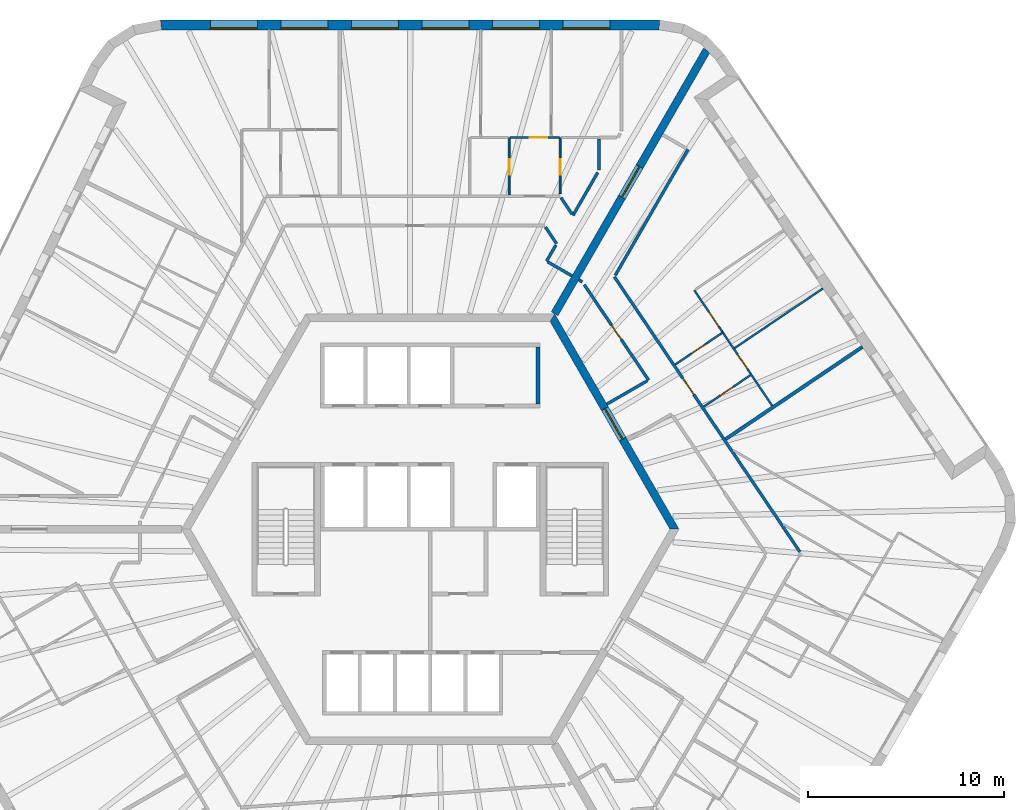
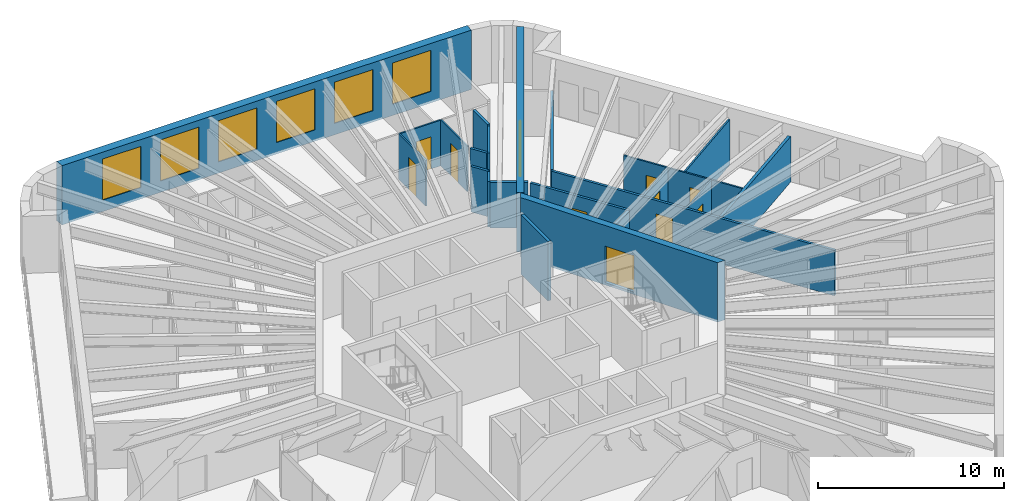
# One storey, part 10 of 12: 24 walls, 11 doors, 6 windows, 17 openings.
"""IFC4 building model written with IfcOpenShell, lengths in metres."""

import ifcopenshell
import ifcopenshell.guid

model = None  # the IFC model being written
_history = None  # IfcOwnerHistory: only IFC2X3 demands one
_inside = {}  # id of a spatial element -> (the spatial element, [elements in it])
_under = {}  # id of a project, library or spatial element -> (it, [spatial elements below it])
_declared = {}  # id of a project -> (the project, [libraries it declares])
_typed = {}  # id of a type object -> (the type object, [elements of that type])
_made_of = {}  # id of a material, layer set ... -> (it, [elements and type objects made of it])


def new_model(schema):
    """Start an empty IFC model of exactly this schema.

    Asked for "IFC4X3", IfcOpenShell would pick the latest addendum, in which some entities
    have other attributes; the version numbers below select the first issue.
    IFC2X3 requires an IfcOwnerHistory on every rooted entity: one is made here for all.
    """
    global model, _history
    if schema == "IFC4X3":
        model = ifcopenshell.file(schema_version=(4, 3, 0, 0))
    else:
        model = ifcopenshell.file(schema=schema)
    _inside.clear()
    _under.clear()
    _declared.clear()
    _typed.clear()
    _made_of.clear()
    _history = None
    if model.schema == "IFC2X3":
        org = make("IfcOrganization", Name="unknown")
        user = make(
            "IfcPersonAndOrganization",
            ThePerson=make("IfcPerson", FamilyName="unknown"),
            TheOrganization=org,
        )
        app = make(
            "IfcApplication",
            ApplicationDeveloper=org,
            Version="unknown",
            ApplicationFullName="unknown",
            ApplicationIdentifier="unknown",
        )
        _history = make(
            "IfcOwnerHistory",
            OwningUser=user,
            OwningApplication=app,
            ChangeAction="ADDED",
            CreationDate=0,
        )
    return model


def make(cls, **values):
    """One entity of the class cls with the attributes given. An attribute that is None is left unset."""
    return model.create_entity(
        cls, **{name: value for name, value in values.items() if value is not None}
    )


def rooted(cls, **values):
    """An entity with a GlobalId (a new one), such as an element, a storey or a relation."""
    return make(cls, GlobalId=ifcopenshell.guid.new(), OwnerHistory=_history, **values)


def si_unit(unit_type, name, prefix=None):
    """IfcSIUnit, for example si_unit("LENGTHUNIT", "METRE", prefix="MILLI")."""
    return make("IfcSIUnit", UnitType=unit_type, Prefix=prefix, Name=name)


def assignment(units):
    """IfcUnitAssignment: the units of a project."""
    return None if units is None else make("IfcUnitAssignment", Units=units)


def point(xyz):
    """IfcCartesianPoint."""
    return None if xyz is None else make("IfcCartesianPoint", Coordinates=xyz)


def direction(xyz):
    """IfcDirection."""
    return None if xyz is None else make("IfcDirection", DirectionRatios=xyz)


def frame(location, z_axis=None, x_axis=None):
    """IfcAxis2Placement3D, a coordinate frame: its origin and axes. An axis left out is left unset."""
    return make(
        "IfcAxis2Placement3D",
        Location=point(location),
        Axis=direction(z_axis),
        RefDirection=direction(x_axis),
    )


def frame_2d(location, x_axis=None):
    """IfcAxis2Placement2D, a coordinate frame in the plane: its origin and x axis."""
    return make(
        "IfcAxis2Placement2D", Location=point(location), RefDirection=direction(x_axis)
    )


def origin():
    """The frame at (0, 0, 0) with its axes left unset."""
    return frame((0.0, 0.0, 0.0))


def place(relative_to, where):
    """IfcLocalPlacement: puts the frame where relative to a parent placement (None: the world)."""
    return make(
        "IfcLocalPlacement", PlacementRelTo=relative_to, RelativePlacement=where
    )


def context(
    kind, dimensions, precision=None, world=None, true_north=None, identifier=None
):
    """IfcGeometricRepresentationContext, for example the 3D "Model" context."""
    return make(
        "IfcGeometricRepresentationContext",
        ContextIdentifier=identifier,
        ContextType=kind,
        CoordinateSpaceDimension=dimensions,
        Precision=precision,
        WorldCoordinateSystem=world,
        TrueNorth=true_north,
    )


def subcontext(parent, identifier, kind, view, scale=None):
    """IfcGeometricRepresentationSubContext, for example "Body" below "Model"."""
    return make(
        "IfcGeometricRepresentationSubContext",
        ContextIdentifier=identifier,
        ContextType=kind,
        ParentContext=parent,
        TargetScale=scale,
        TargetView=view,
    )


def project(units=None, contexts=None):
    """IfcProject with its units and contexts."""
    return rooted(
        "IfcProject",
        Name="project",
        RepresentationContexts=contexts,
        UnitsInContext=assignment(units),
    )


def spatial(cls, under=None, at=None, **own):
    """A site, building, storey or space (cls), placed at a placement, below another one or the project."""
    s = rooted(cls, ObjectPlacement=at, **own)
    if under is not None:
        _under.setdefault(under.id(), (under, []))[1].append(s)
    return s


def polyline(points):
    """IfcPolyline through the points."""
    return make("IfcPolyline", Points=[point(p) for p in points])


def profile(cls, at=None, kind="AREA", **sizes):
    """A parametric profile (cls). Its sizes go by their IFC names, for example OverallWidth=200.0."""
    return make(cls, ProfileType=kind, Position=at, **sizes)


def rectangle(**sizes):
    """IfcRectangleProfileDef."""
    return profile("IfcRectangleProfileDef", **sizes)


def outline(outer, holes=None, kind="AREA"):
    """IfcArbitraryClosedProfileDef: a profile drawn as a closed curve; with holes, ...WithVoids."""
    if holes is None:
        return make("IfcArbitraryClosedProfileDef", ProfileType=kind, OuterCurve=outer)
    return make(
        "IfcArbitraryProfileDefWithVoids",
        ProfileType=kind,
        OuterCurve=outer,
        InnerCurves=holes,
    )


def extrude(swept, where, along, depth):
    """IfcExtrudedAreaSolid: the profile swept, set in the frame where, extruded along a direction by depth."""
    return make(
        "IfcExtrudedAreaSolid",
        SweptArea=swept,
        Position=where,
        ExtrudedDirection=direction(along),
        Depth=depth,
    )


def shape(context_of_items, identifier, shape_type, items):
    """IfcShapeRepresentation: the items that make up one representation, for example the "Body"."""
    return make(
        "IfcShapeRepresentation",
        ContextOfItems=context_of_items,
        RepresentationIdentifier=identifier,
        RepresentationType=shape_type,
        Items=items,
    )


def material(Name=None, Category=None):
    """IfcMaterial."""
    return make("IfcMaterial", Name=Name, Category=Category)


def layer(
    of_material, thickness, ventilated=None, Name=None, Category=None, Priority=None
):
    """IfcMaterialLayer: one layer of a wall or slab, of a material (None: an air gap)."""
    return make(
        "IfcMaterialLayer",
        Material=of_material,
        LayerThickness=thickness,
        IsVentilated=ventilated,
        Name=Name,
        Category=Category,
        Priority=Priority,
    )


def layer_set(layers, Name=None):
    """IfcMaterialLayerSet."""
    return make("IfcMaterialLayerSet", MaterialLayers=layers, LayerSetName=Name)


def made_of(thing, what):
    """Note that an element or type object is made of a material, layer set ...; save() writes the relation."""
    if what is not None:
        _made_of.setdefault(what.id(), (what, []))[1].append(thing)
    return thing


def type_object(cls, material=None, **own):
    """A type object (cls), such as IfcWallType, which elements share."""
    return made_of(rooted(cls, **own), material)


def element(
    cls,
    number,
    at=None,
    inside=None,
    cuts=None,
    type_object=None,
    material=None,
    context=None,
    identifier="Body",
    shape_type=None,
    held_by="IfcProductDefinitionShape",
    body=None,
    shapes=None,
    **own,
):
    """One element of the class cls, such as IfcWall. Its Tag is "e" and its number.

    at: its placement. inside: the storey or other place that contains it. cuts: it is an
    opening in that element (IfcRelVoidsElement). A single representation is given by context,
    identifier, shape_type and body (its items); several are given by shapes. held_by: the class
    of the entity that holds the representations. save() writes the other relations.
    """
    e = rooted(cls, Tag="e%d" % number, ObjectPlacement=at, **own)
    if body is not None:
        shapes = [shape(context, identifier, shape_type, body)]
    if shapes is not None:
        e.Representation = make(held_by, Representations=shapes)
    if inside is not None:
        _inside.setdefault(inside.id(), (inside, []))[1].append(e)
    if cuts is not None:
        rooted(
            "IfcRelVoidsElement", RelatingBuildingElement=cuts, RelatedOpeningElement=e
        )
    if type_object is not None:
        _typed.setdefault(type_object.id(), (type_object, []))[1].append(e)
    return made_of(e, material)


def fill(opening, filler):
    """IfcRelFillsElement: the door or window that sits in an opening."""
    return rooted(
        "IfcRelFillsElement",
        RelatingOpeningElement=opening,
        RelatedBuildingElement=filler,
    )


def aggregate(whole, parts):
    """IfcRelAggregates: a whole, such as a stair, and the parts it consists of."""
    return rooted("IfcRelAggregates", RelatingObject=whole, RelatedObjects=parts)


def save(model, path):
    """Write the relations noted so far, then the file.

    IfcRelAggregates (storeys below a building ...), IfcRelContainedInSpatialStructure (elements
    in a storey), IfcRelDefinesByType, IfcRelAssociatesMaterial and IfcRelDeclares: one each for
    every whole, place, type object, material and project.
    """
    for whole, parts in _under.values():
        aggregate(whole, parts)
    for where, things in _inside.values():
        rooted(
            "IfcRelContainedInSpatialStructure",
            RelatedElements=things,
            RelatingStructure=where,
        )
    for kind, things in _typed.values():
        rooted("IfcRelDefinesByType", RelatedObjects=things, RelatingType=kind)
    for what, things in _made_of.values():
        rooted("IfcRelAssociatesMaterial", RelatedObjects=things, RelatingMaterial=what)
    for by, libraries in _declared.values():
        rooted("IfcRelDeclares", RelatingContext=by, RelatedDefinitions=libraries)
    model.write(path)


model = new_model("IFC4")

# Units and contexts
model_context = context("Model", 3, precision=1e-05, world=origin(), true_north=direction((0.0, 1.0)))
body_context = subcontext(model_context, "Body", "Model", "MODEL_VIEW")
ifc_project = project(units=[si_unit("LENGTHUNIT", "METRE"), si_unit("AREAUNIT", "SQUARE_METRE"), si_unit("VOLUMEUNIT", "CUBIC_METRE"), si_unit("PLANEANGLEUNIT", "RADIAN"), si_unit("MASSUNIT", "GRAM", prefix="KILO")], contexts=[model_context])

# Site, building, storey
site_placement = place(None, origin())
site = spatial("IfcSite", under=ifc_project, at=site_placement, CompositionType="ELEMENT")
building_placement = place(site_placement, origin())
building = spatial("IfcBuilding", under=site, at=building_placement, Name="Tarnside Tower", CompositionType="ELEMENT")
storey_placement = place(building_placement, frame((0.0, 0.0, 275.699951171875)))
storey = spatial("IfcBuildingStorey", under=building, at=storey_placement, Name="L66", CompositionType="ELEMENT", Elevation=275.699951171875)

# Wall, opening, door
ifc_material_1 = material(Name="Gypsum board partition on steel studs", Category="steel")
ifc_layer_1 = layer(ifc_material_1, 0.10009765625)
ifc_layer_set_1 = layer_set([ifc_layer_1], Name="Bathroom wall 100")
wall_type_1 = type_object("IfcWallType", Name="Bathroom wall 100", PredefinedType="PARTITIONING", material=ifc_layer_set_1)
wall_1_placement = place(storey_placement, frame((4.026611328125, 20.0, 0.0), z_axis=(0.0, 0.0, 1.0), x_axis=(0.0, -1.0, 0.0)))
wall_1 = element("IfcWall", 1, at=wall_1_placement, inside=storey, type_object=wall_type_1, Name="Bathroom wall 21091", PredefinedType="PARTITIONING", context=body_context, shape_type="SweptSolid", body=[
    extrude(rectangle(XDim=2.925048828125, YDim=0.10009765625, at=frame_2d((1.46240234375, 0.0))), origin(), (0.0, 0.0, 1.0), 2.98779296875),
])
opening_1_placement = place(wall_1_placement, frame((1.10009765625, 0.0, 0.0)))
opening_1 = element("IfcOpeningElement", 2, at=opening_1_placement, cuts=wall_1, Name="Opening D-B1", PredefinedType="OPENING", context=body_context, shape_type="SweptSolid", body=[
    extrude(rectangle(XDim=0.800048828125, YDim=2.10009765625, at=frame_2d((0.39990234375, 1.050048828125))), frame((0.0, 0.06005859375, 0.0), z_axis=(0.0, -1.0, 0.0), x_axis=(1.0, 0.0, 0.0)), (0.0, 0.0, 1.0), 0.1201171875),
])
ifc_material_2 = material(Name="Timber door leaf", Category="wood")
door_type_1 = type_object("IfcDoorType", Name="Bathroom door 800", OperationType="NOTDEFINED", PredefinedType="DOOR", material=ifc_material_2)
door_1_placement = place(opening_1_placement, origin())
door_1 = element("IfcDoor", 3, at=door_1_placement, inside=storey, type_object=door_type_1, Name="Bathroom door 21002", OperationType="SINGLE_SWING_LEFT", OverallHeight=2.10009765625, OverallWidth=0.800048828125, PredefinedType="DOOR", context=body_context, shape_type="SweptSolid", body=[
    extrude(rectangle(XDim=0.800048828125, YDim=2.10009765625, at=frame_2d((0.39990234375, 1.050048828125))), frame((0.0, 0.02490234375, 0.0), z_axis=(0.0, -1.0, 0.0), x_axis=(1.0, 0.0, 0.0)), (0.0, 0.0, 1.0), 0.050048828125),
])
fill(opening_1, door_1)

wall_2_placement = place(storey_placement, frame((6.626708984375, 17.134033203125, 0.0), z_axis=(0.0, 0.0, 1.0), x_axis=(0.0, 1.0, 0.0)))
wall_2 = element("IfcWall", 4, at=wall_2_placement, inside=storey, type_object=wall_type_1, Name="Bathroom wall 21094", PredefinedType="PARTITIONING", context=body_context, shape_type="SweptSolid", body=[
    extrude(rectangle(XDim=2.865966796875, YDim=0.10009765625, at=frame_2d((1.43310546875, 0.0))), origin(), (0.0, 0.0, 1.0), 2.98779296875),
])
opening_2_placement = place(wall_2_placement, frame((0.9658203125, 0.0, 0.0)))
opening_2 = element("IfcOpeningElement", 5, at=opening_2_placement, cuts=wall_2, Name="Opening D-B1", PredefinedType="OPENING", context=body_context, shape_type="SweptSolid", body=[
    extrude(rectangle(XDim=0.800048828125, YDim=2.10009765625, at=frame_2d((0.39990234375, 1.050048828125))), frame((0.0, 0.06005859375, 0.0), z_axis=(0.0, -1.0, 0.0), x_axis=(1.0, 0.0, 0.0)), (0.0, 0.0, 1.0), 0.1201171875),
])
door_2_placement = place(opening_2_placement, origin())
door_2 = element("IfcDoor", 6, at=door_2_placement, inside=storey, type_object=door_type_1, Name="Bathroom door 21011", OperationType="SINGLE_SWING_RIGHT", OverallHeight=2.10009765625, OverallWidth=0.800048828125, PredefinedType="DOOR", context=body_context, shape_type="SweptSolid", body=[
    extrude(rectangle(XDim=0.800048828125, YDim=2.10009765625, at=frame_2d((0.39990234375, 1.050048828125))), frame((0.0, 0.02490234375, 0.0), z_axis=(0.0, -1.0, 0.0), x_axis=(1.0, 0.0, 0.0)), (0.0, 0.0, 1.0), 0.050048828125),
])
fill(opening_2, door_2)

wall_3_placement = place(storey_placement, frame((13.965576171875, 6.25390625, 0.0), z_axis=(0.0, 0.0, 1.0), x_axis=(0.829046031219, 0.559180362781, 0.0)))
wall_3 = element("IfcWall", 7, at=wall_3_placement, inside=storey, type_object=wall_type_1, Name="Bathroom wall 21174", PredefinedType="PARTITIONING", context=body_context, shape_type="SweptSolid", body=[
    extrude(rectangle(XDim=2.9248046875, YDim=0.10009765625, at=frame_2d((1.46240234375, 0.0))), origin(), (0.0, 0.0, 1.0), 2.98779296875),
])
opening_3_placement = place(wall_3_placement, frame((1.02490234375, 0.0, 0.0)))
opening_3 = element("IfcOpeningElement", 8, at=opening_3_placement, cuts=wall_3, Name="Opening D-B1", PredefinedType="OPENING", context=body_context, shape_type="SweptSolid", body=[
    extrude(rectangle(XDim=0.800048828125, YDim=2.10009765625, at=frame_2d((0.39990234375, 1.050048828125))), frame((0.0, 0.06005859375, 0.0), z_axis=(0.0, -1.0, 0.0), x_axis=(1.0, 0.0, 0.0)), (0.0, 0.0, 1.0), 0.1201171875),
])
door_3_placement = place(opening_3_placement, origin())
door_3 = element("IfcDoor", 9, at=door_3_placement, inside=storey, type_object=door_type_1, Name="Bathroom door 21064", OperationType="SINGLE_SWING_RIGHT", OverallHeight=2.10009765625, OverallWidth=0.800048828125, PredefinedType="DOOR", context=body_context, shape_type="SweptSolid", body=[
    extrude(rectangle(XDim=0.800048828125, YDim=2.10009765625, at=frame_2d((0.39990234375, 1.050048828125))), frame((0.0, 0.02490234375, 0.0), z_axis=(0.0, -1.0, 0.0), x_axis=(1.0, 0.0, 0.0)), (0.0, 0.0, 1.0), 0.050048828125),
])
fill(opening_3, door_3)

# Wall
wall_4_placement = place(storey_placement, frame((17.45849609375, 6.305908203125, 0.0), z_axis=(0.0, 0.0, 1.0), x_axis=(-0.559200351269, 0.829032548903, 0.0)))
element("IfcWall", 10, at=wall_4_placement, inside=storey, type_object=wall_type_1, Name="Bathroom wall 21177", PredefinedType="PARTITIONING", context=body_context, shape_type="SweptSolid", body=[
    extrude(rectangle(XDim=1.862060546875, YDim=0.10009765625, at=frame_2d((0.93115234375, 0.0))), origin(), (0.0, 0.0, 1.0), 2.98779296875),
])

# Wall, opening, door
ifc_material_3 = material(Name="Concrete C60/75", Category="concrete")
ifc_layer_2 = layer(ifc_material_3, 0.39990234375)
ifc_layer_set_2 = layer_set([ifc_layer_2], Name="Core wall Z3 400 C60/75")
wall_type_2 = type_object("IfcWallType", Name="Core wall Z3 400 C60/75", PredefinedType="SHEAR", material=ifc_layer_set_2)
wall_5_placement = place(storey_placement, frame((12.470703125, 0.0, -0.14990234375), z_axis=(0.0, 0.0, 1.0), x_axis=(-0.499996419489, 0.866027470984, 0.0)))
wall_5 = element("IfcWall", 11, at=wall_5_placement, inside=storey, type_object=wall_type_2, Name="L66 core wall face 6", PredefinedType="SHEAR", context=body_context, shape_type="SweptSolid", body=[
    extrude(outline(polyline([(-0.115478515625, -0.199951171875), (12.586181640625, -0.199951171875), (12.355224609375, 0.199951171875), (0.115478515625, 0.199951171875), (-0.115478515625, -0.199951171875)])), origin(), (0.0, 0.0, 1.0), 3.89990234375),
])
opening_4_placement = place(wall_5_placement, frame((5.306396484375, 0.0, 0.14990234375)))
opening_4 = element("IfcOpeningElement", 12, at=opening_4_placement, cuts=wall_5, Name="Opening CD-LOB", PredefinedType="OPENING", context=body_context, shape_type="SweptSolid", body=[
    extrude(rectangle(XDim=1.800048828125, YDim=2.39990234375, at=frame_2d((0.89990234375, 1.199951171875))), frame((0.0, 0.2099609375, 0.0), z_axis=(0.0, -1.0, 0.0), x_axis=(1.0, 0.0, 0.0)), (0.0, 0.0, 1.0), 0.419921875),
])
ifc_material_4 = material(Name="Steel fire door", Category="steel")
door_type_2 = type_object("IfcDoorType", Name="Lobby double door FD30S 1800x2400", OperationType="NOTDEFINED", PredefinedType="DOOR", material=ifc_material_4)
door_4_placement = place(opening_4_placement, origin())
door_4 = element("IfcDoor", 13, at=door_4_placement, inside=storey, type_object=door_type_2, Name="L66 core door P2", OperationType="DOUBLE_DOOR_SINGLE_SWING", OverallHeight=2.39990234375, OverallWidth=1.800048828125, PredefinedType="DOOR", context=body_context, shape_type="SweptSolid", body=[
    extrude(rectangle(XDim=1.800048828125, YDim=2.39990234375, at=frame_2d((0.89990234375, 1.199951171875))), frame((0.0, 0.02490234375, 0.0), z_axis=(0.0, -1.0, 0.0), x_axis=(1.0, 0.0, 0.0)), (0.0, 0.0, 1.0), 0.050048828125),
])
fill(opening_4, door_4)

wall_6_placement = place(storey_placement, frame((6.350830078125, 11.0, -0.14990234375), z_axis=(0.0, 0.0, 1.0), x_axis=(0.499998894578, 0.866026041999, 0.0)))
wall_6 = element("IfcWall", 14, at=wall_6_placement, inside=storey, type_object=wall_type_2, Name="L66 spine wall 1", PredefinedType="SHEAR", context=body_context, shape_type="SweptSolid", body=[
    extrude(rectangle(XDim=15.54443359375, YDim=0.39990234375, at=frame_2d((7.772216796875, 0.0))), origin(), (0.0, 0.0, 1.0), 3.89990234375),
])
opening_5_placement = place(wall_6_placement, frame((6.872314453125, 0.0, 0.14990234375)))
opening_5 = element("IfcOpeningElement", 15, at=opening_5_placement, cuts=wall_6, Name="Opening CD-SPN", PredefinedType="OPENING", context=body_context, shape_type="SweptSolid", body=[
    extrude(rectangle(XDim=1.800048828125, YDim=2.39990234375, at=frame_2d((0.89990234375, 1.199951171875))), frame((0.0, 0.2099609375, 0.0), z_axis=(0.0, -1.0, 0.0), x_axis=(1.0, 0.0, 0.0)), (0.0, 0.0, 1.0), 0.419921875),
])
door_type_3 = type_object("IfcDoorType", Name="Spine passage double door FD60 1800x2400", OperationType="NOTDEFINED", PredefinedType="DOOR", material=ifc_material_4)
door_5_placement = place(opening_5_placement, origin())
door_5 = element("IfcDoor", 16, at=door_5_placement, inside=storey, type_object=door_type_3, Name="L66 spine passage door 1", OperationType="DOUBLE_DOOR_SINGLE_SWING", OverallHeight=2.39990234375, OverallWidth=1.800048828125, PredefinedType="DOOR", context=body_context, shape_type="SweptSolid", body=[
    extrude(rectangle(XDim=1.800048828125, YDim=2.39990234375, at=frame_2d((0.89990234375, 1.199951171875))), frame((0.0, 0.02490234375, 0.0), z_axis=(0.0, -1.0, 0.0), x_axis=(1.0, 0.0, 0.0)), (0.0, 0.0, 1.0), 0.050048828125),
])
fill(opening_5, door_5)

# Walls
ifc_layer_3 = layer(ifc_material_1, 0.14990234375)
ifc_layer_set_3 = layer_set([ifc_layer_3], Name="Corridor wall 150 EI 60")
wall_type_3 = type_object("IfcWallType", Name="Corridor wall 150 EI 60", PredefinedType="PARTITIONING", material=ifc_layer_set_3)
wall_7_placement = place(storey_placement, frame((8.626708984375, 19.925048828125, 0.0), z_axis=(0.0, 0.0, 1.0), x_axis=(0.0, -1.0, 0.0)))
element("IfcWall", 17, at=wall_7_placement, inside=storey, type_object=wall_type_3, Name="Corridor wall 21007", PredefinedType="PARTITIONING", context=body_context, shape_type="SweptSolid", body=[
    extrude(rectangle(XDim=1.583251953125, YDim=0.14990234375, at=frame_2d((0.79150390625, 0.0))), origin(), (0.0, 0.0, 1.0), 2.98779296875),
])
wall_8_placement = place(storey_placement, frame((8.551513671875, 18.2119140625, 0.0), z_axis=(0.0, 0.0, 1.0), x_axis=(-0.499959175164, -0.866048972731, 0.0)))
element("IfcWall", 18, at=wall_8_placement, inside=storey, type_object=wall_type_3, Name="Corridor wall 21008", PredefinedType="PARTITIONING", context=body_context, shape_type="SweptSolid", body=[
    extrude(rectangle(XDim=2.529541015625, YDim=0.14990234375, at=frame_2d((1.2646484375, 0.0))), origin(), (0.0, 0.0, 1.0), 2.98779296875),
])
wall_9_placement = place(storey_placement, frame((7.240234375, 16.09033203125, 0.0), z_axis=(0.0, 0.0, 1.0), x_axis=(-0.55916880098, 0.82905382938, 0.0)))
element("IfcWall", 19, at=wall_9_placement, inside=storey, type_object=wall_type_3, Name="Corridor wall 21009", PredefinedType="PARTITIONING", context=body_context, shape_type="SweptSolid", body=[
    extrude(rectangle(XDim=1.0068359375, YDim=0.14990234375, at=frame_2d((0.50341796875, 0.0))), origin(), (0.0, 0.0, 1.0), 2.98779296875),
])
wall_10_placement = place(storey_placement, frame((5.879638671875, 15.425048828125, 0.0), z_axis=(0.0, 0.0, 1.0), x_axis=(0.559202631314, -0.829031010959, 0.0)))
element("IfcWall", 20, at=wall_10_placement, inside=storey, type_object=wall_type_3, Name="Corridor wall 21023", PredefinedType="PARTITIONING", context=body_context, shape_type="SweptSolid", body=[
    extrude(rectangle(XDim=1.024169921875, YDim=0.14990234375, at=frame_2d((0.51220703125, 0.0))), origin(), (0.0, 0.0, 1.0), 2.98779296875),
])
wall_11_placement = place(storey_placement, frame((6.41064453125, 14.503662109375, 0.0), z_axis=(0.0, 0.0, 1.0), x_axis=(-0.499998034377, -0.866026538634, 0.0)))
element("IfcWall", 21, at=wall_11_placement, inside=storey, type_object=wall_type_3, Name="Corridor wall 21024", PredefinedType="PARTITIONING", context=body_context, shape_type="SweptSolid", body=[
    extrude(rectangle(XDim=0.94580078125, YDim=0.14990234375, at=frame_2d((0.472900390625, 0.0))), origin(), (0.0, 0.0, 1.0), 2.98779296875),
])
wall_12_placement = place(storey_placement, frame((6.002685546875, 13.647216796875, 0.0), z_axis=(0.0, 0.0, 1.0), x_axis=(0.865988727248, -0.500063520245, 0.0)))
element("IfcWall", 22, at=wall_12_placement, inside=storey, type_object=wall_type_3, Name="Corridor wall 21025", PredefinedType="PARTITIONING", context=body_context, shape_type="SweptSolid", body=[
    extrude(rectangle(XDim=1.425048828125, YDim=0.14990234375, at=frame_2d((0.71240234375, 0.0))), origin(), (0.0, 0.0, 1.0), 2.98779296875),
])

# Wall, opening, door
wall_13_placement = place(storey_placement, frame((18.87451171875, -1.158203125, 0.0), z_axis=(0.0, 0.0, 1.0), x_axis=(-0.55919880344, 0.829033592945, 0.0)))
wall_13 = element("IfcWall", 23, at=wall_13_placement, inside=storey, type_object=wall_type_3, Name="Corridor wall 21064", PredefinedType="PARTITIONING", context=body_context, shape_type="SweptSolid", body=[
    extrude(rectangle(XDim=16.939208984375, YDim=0.14990234375, at=frame_2d((8.4697265625, 0.0))), origin(), (0.0, 0.0, 1.0), 2.98779296875),
])
opening_6_placement = place(wall_13_placement, frame((9.690185546875, 0.0, 0.0)))
opening_6 = element("IfcOpeningElement", 24, at=opening_6_placement, cuts=wall_13, Name="Opening D-E1", PredefinedType="OPENING", context=body_context, shape_type="SweptSolid", body=[
    extrude(rectangle(XDim=1.0, YDim=2.10009765625, at=frame_2d((0.5, 1.050048828125))), frame((0.0, 0.0849609375, 0.0), z_axis=(0.0, -1.0, 0.0), x_axis=(1.0, 0.0, 0.0)), (0.0, 0.0, 1.0), 0.169921875),
])
door_type_4 = type_object("IfcDoorType", Name="Unit entrance door 1000 FD30S", OperationType="NOTDEFINED", PredefinedType="DOOR", material=ifc_material_2)
door_6_placement = place(opening_6_placement, origin())
door_6 = element("IfcDoor", 25, at=door_6_placement, inside=storey, type_object=door_type_4, Name="Unit door 21063", OperationType="SINGLE_SWING_RIGHT", OverallHeight=2.10009765625, OverallWidth=1.0, PredefinedType="DOOR", context=body_context, shape_type="SweptSolid", body=[
    extrude(rectangle(XDim=1.0, YDim=2.10009765625, at=frame_2d((0.5, 1.050048828125))), frame((0.0, 0.02490234375, 0.0), z_axis=(0.0, -1.0, 0.0), x_axis=(1.0, 0.0, 0.0)), (0.0, 0.0, 1.0), 0.050048828125),
])
fill(opening_6, door_6)

# Walls
wall_14_placement = place(storey_placement, frame((9.44384765625, 12.957275390625, 0.0), z_axis=(0.0, 0.0, 1.0), x_axis=(0.500004967958, 0.866022535513, 0.0)))
element("IfcWall", 26, at=wall_14_placement, inside=storey, type_object=wall_type_3, Name="Corridor wall 21070", PredefinedType="PARTITIONING", context=body_context, shape_type="SweptSolid", body=[
    extrude(rectangle(XDim=7.4306640625, YDim=0.14990234375, at=frame_2d((3.71533203125, 0.0))), origin(), (0.0, 0.0, 1.0), 2.98779296875),
])
wall_15_placement = place(storey_placement, frame((7.583251953125, 12.734619140625, 0.0), z_axis=(0.0, 0.0, 1.0), x_axis=(0.866088799389, -0.499890179513, 0.0)))
element("IfcWall", 27, at=wall_15_placement, inside=storey, type_object=wall_type_3, Name="Corridor wall 21083", PredefinedType="PARTITIONING", context=body_context, shape_type="SweptSolid", body=[
    extrude(rectangle(XDim=0.2099609375, YDim=0.14990234375, at=frame_2d((0.10498046875, 0.0))), origin(), (0.0, 0.0, 1.0), 2.98779296875),
])

# Wall, opening, door
wall_16_placement = place(storey_placement, frame((7.86083984375, 12.48779296875, 0.0), z_axis=(0.0, 0.0, 1.0), x_axis=(0.559178186788, -0.829047498893, 0.0)))
wall_16 = element("IfcWall", 28, at=wall_16_placement, inside=storey, type_object=wall_type_3, Name="Corridor wall 21084", PredefinedType="PARTITIONING", context=body_context, shape_type="SweptSolid", body=[
    extrude(rectangle(XDim=5.877685546875, YDim=0.14990234375, at=frame_2d((2.93896484375, 0.0))), origin(), (0.0, 0.0, 1.0), 2.98779296875),
])
opening_7_placement = place(wall_16_placement, frame((2.48876953125, 0.0, 0.0)))
opening_7 = element("IfcOpeningElement", 29, at=opening_7_placement, cuts=wall_16, Name="Opening D-S1", PredefinedType="OPENING", context=body_context, shape_type="SweptSolid", body=[
    extrude(rectangle(XDim=0.89990234375, YDim=2.10009765625, at=frame_2d((0.449951171875, 1.050048828125))), frame((0.0, 0.0849609375, 0.0), z_axis=(0.0, -1.0, 0.0), x_axis=(1.0, 0.0, 0.0)), (0.0, 0.0, 1.0), 0.169921875),
])
door_type_5 = type_object("IfcDoorType", Name="Service room door 900 FD30S", OperationType="NOTDEFINED", PredefinedType="DOOR", material=ifc_material_2)
door_7_placement = place(opening_7_placement, origin())
door_7 = element("IfcDoor", 30, at=door_7_placement, inside=storey, type_object=door_type_5, Name="Service door 21075", OperationType="SINGLE_SWING_RIGHT", OverallHeight=2.10009765625, OverallWidth=0.89990234375, PredefinedType="DOOR", context=body_context, shape_type="SweptSolid", body=[
    extrude(rectangle(XDim=0.89990234375, YDim=2.10009765625, at=frame_2d((0.449951171875, 1.050048828125))), frame((0.0, 0.02490234375, 0.0), z_axis=(0.0, -1.0, 0.0), x_axis=(1.0, 0.0, 0.0)), (0.0, 0.0, 1.0), 0.050048828125),
])
fill(opening_7, door_7)

# Walls
wall_17_placement = place(storey_placement, frame((11.082275390625, 7.57763671875, 0.0), z_axis=(0.0, 0.0, 1.0), x_axis=(-0.865993065409, -0.500056007527, 0.0)))
element("IfcWall", 31, at=wall_17_placement, inside=storey, type_object=wall_type_3, Name="Corridor wall 21085", PredefinedType="PARTITIONING", context=body_context, shape_type="SweptSolid", body=[
    extrude(rectangle(XDim=2.386474609375, YDim=0.14990234375, at=frame_2d((1.193359375, 0.0))), origin(), (0.0, 0.0, 1.0), 2.98779296875),
])
ifc_layer_4 = layer(ifc_material_1, 0.179931640625)
ifc_layer_set_4 = layer_set([ifc_layer_4], Name="Demising wall 180 EI 60")
wall_type_4 = type_object("IfcWallType", Name="Demising wall 180 EI 60", PredefinedType="PARTITIONING", material=ifc_layer_set_4)
wall_18_placement = place(storey_placement, frame((22.068603515625, 9.306884765625, 0.0), z_axis=(0.0, 0.0, 1.0), x_axis=(-0.829046823816, -0.559179187668, 0.0)))
element("IfcWall", 32, at=wall_18_placement, inside=storey, type_object=wall_type_4, Name="Demising wall 21162", PredefinedType="PARTITIONING", context=body_context, shape_type="SweptSolid", body=[
    extrude(rectangle(XDim=8.42529296875, YDim=0.179931640625, at=frame_2d((4.212646484375, 0.0))), origin(), (0.0, 0.0, 1.0), 2.98779296875),
])
ifc_material_5 = material(Name="Concrete C40/50", Category="concrete")
ifc_layer_5 = layer(ifc_material_5, 0.199951171875)
ifc_layer_set_5 = layer_set([ifc_layer_5], Name="Lift shaft wall 200 C40/50")
wall_type_5 = type_object("IfcWallType", Name="Lift shaft wall 200 C40/50", PredefinedType="SHEAR", material=ifc_layer_set_5)
wall_19_placement = place(storey_placement, frame((5.5, 6.39990234375, -0.25), z_axis=(0.0, 0.0, 1.0), x_axis=(0.0, 1.0, 0.0)))
element("IfcWall", 33, at=wall_19_placement, inside=storey, type_object=wall_type_5, Name="L66 lift shaft partition R16", PredefinedType="SHEAR", context=body_context, shape_type="SweptSolid", body=[
    extrude(rectangle(XDim=2.900146484375, YDim=0.199951171875, at=frame_2d((1.4501953125, 0.0))), origin(), (0.0, 0.0, 1.0), 3.900146484375),
])

# Wall, opening, door
ifc_layer_6 = layer(ifc_material_1, 0.10009765625)
ifc_layer_set_6 = layer_set([ifc_layer_6], Name="Partition 100")
wall_type_6 = type_object("IfcWallType", Name="Partition 100", PredefinedType="PARTITIONING", material=ifc_layer_set_6)
wall_20_placement = place(storey_placement, frame((6.57861328125, 20.0, 0.0), z_axis=(0.0, 0.0, 1.0), x_axis=(-1.0, 0.0, 0.0)))
wall_20 = element("IfcWall", 34, at=wall_20_placement, inside=storey, type_object=wall_type_6, Name="Partition wall 21092", PredefinedType="PARTITIONING", context=body_context, shape_type="SweptSolid", body=[
    extrude(rectangle(XDim=2.50390625, YDim=0.10009765625, at=frame_2d((1.251953125, 0.0))), origin(), (0.0, 0.0, 1.0), 2.98779296875),
])
opening_8_placement = place(wall_20_placement, frame((0.603515625, 0.0, 0.0)))
opening_8 = element("IfcOpeningElement", 35, at=opening_8_placement, cuts=wall_20, Name="Opening D-I1", PredefinedType="OPENING", context=body_context, shape_type="SweptSolid", body=[
    extrude(rectangle(XDim=0.89990234375, YDim=2.10009765625, at=frame_2d((0.449951171875, 1.050048828125))), frame((0.0, 0.06005859375, 0.0), z_axis=(0.0, -1.0, 0.0), x_axis=(1.0, 0.0, 0.0)), (0.0, 0.0, 1.0), 0.1201171875),
])
door_type_6 = type_object("IfcDoorType", Name="Internal door 900", OperationType="NOTDEFINED", PredefinedType="DOOR", material=ifc_material_2)
door_8_placement = place(opening_8_placement, origin())
door_8 = element("IfcDoor", 36, at=door_8_placement, inside=storey, type_object=door_type_6, Name="Internal door 21005", OperationType="SINGLE_SWING_LEFT", OverallHeight=2.10009765625, OverallWidth=0.89990234375, PredefinedType="DOOR", context=body_context, shape_type="SweptSolid", body=[
    extrude(rectangle(XDim=0.89990234375, YDim=2.10009765625, at=frame_2d((0.449951171875, 1.050048828125))), frame((0.0, 0.02490234375, 0.0), z_axis=(0.0, -1.0, 0.0), x_axis=(1.0, 0.0, 0.0)), (0.0, 0.0, 1.0), 0.050048828125),
])
fill(opening_8, door_8)

wall_21_placement = place(storey_placement, frame((12.511474609375, 8.409423828125, 0.0), z_axis=(0.0, 0.0, 1.0), x_axis=(0.829072128826, 0.559141668278, 0.0)))
wall_21 = element("IfcWall", 37, at=wall_21_placement, inside=storey, type_object=wall_type_6, Name="Partition wall 21171", PredefinedType="PARTITIONING", context=body_context, shape_type="SweptSolid", body=[
    extrude(rectangle(XDim=2.925048828125, YDim=0.10009765625, at=frame_2d((1.46240234375, 0.0))), origin(), (0.0, 0.0, 1.0), 2.98779296875),
])
opening_9_placement = place(wall_21_placement, frame((0.97509765625, 0.0, 0.0)))
opening_9 = element("IfcOpeningElement", 38, at=opening_9_placement, cuts=wall_21, Name="Opening D-I1", PredefinedType="OPENING", context=body_context, shape_type="SweptSolid", body=[
    extrude(rectangle(XDim=0.89990234375, YDim=2.10009765625, at=frame_2d((0.449951171875, 1.050048828125))), frame((0.0, 0.06005859375, 0.0), z_axis=(0.0, -1.0, 0.0), x_axis=(1.0, 0.0, 0.0)), (0.0, 0.0, 1.0), 0.1201171875),
])
door_9_placement = place(opening_9_placement, origin())
door_9 = element("IfcDoor", 39, at=door_9_placement, inside=storey, type_object=door_type_6, Name="Internal door 21065", OperationType="SINGLE_SWING_RIGHT", OverallHeight=2.10009765625, OverallWidth=0.89990234375, PredefinedType="DOOR", context=body_context, shape_type="SweptSolid", body=[
    extrude(rectangle(XDim=0.89990234375, YDim=2.10009765625, at=frame_2d((0.449951171875, 1.050048828125))), frame((0.0, 0.02490234375, 0.0), z_axis=(0.0, -1.0, 0.0), x_axis=(1.0, 0.0, 0.0)), (0.0, 0.0, 1.0), 0.050048828125),
])
fill(opening_9, door_9)

# Wall, openings, doors
wall_22_placement = place(storey_placement, frame((16.3916015625, 7.887939453125, 0.0), z_axis=(0.0, 0.0, 1.0), x_axis=(-0.559208437152, 0.829027094743, 0.0)))
wall_22 = element("IfcWall", 40, at=wall_22_placement, inside=storey, type_object=wall_type_6, Name="Partition wall 21172", PredefinedType="PARTITIONING", context=body_context, shape_type="SweptSolid", body=[
    extrude(rectangle(XDim=5.201904296875, YDim=0.10009765625, at=frame_2d((2.60107421875, 0.0))), origin(), (0.0, 0.0, 1.0), 2.98779296875),
])
opening_10_placement = place(wall_22_placement, frame((0.35205078125, 0.0, 0.0)))
opening_10 = element("IfcOpeningElement", 41, at=opening_10_placement, cuts=wall_22, Name="Opening D-I1", PredefinedType="OPENING", context=body_context, shape_type="SweptSolid", body=[
    extrude(rectangle(XDim=0.89990234375, YDim=2.10009765625, at=frame_2d((0.449951171875, 1.050048828125))), frame((0.0, 0.06005859375, 0.0), z_axis=(0.0, -1.0, 0.0), x_axis=(1.0, 0.0, 0.0)), (0.0, 0.0, 1.0), 0.1201171875),
])
opening_11_placement = place(wall_22_placement, frame((2.951904296875, 0.0, 0.0)))
opening_11 = element("IfcOpeningElement", 42, at=opening_11_placement, cuts=wall_22, Name="Opening D-I1", PredefinedType="OPENING", context=body_context, shape_type="SweptSolid", body=[
    extrude(rectangle(XDim=0.89990234375, YDim=2.10009765625, at=frame_2d((0.449951171875, 1.050048828125))), frame((0.0, 0.06005859375, 0.0), z_axis=(0.0, -1.0, 0.0), x_axis=(1.0, 0.0, 0.0)), (0.0, 0.0, 1.0), 0.1201171875),
])
door_10_placement = place(opening_10_placement, origin())
door_10 = element("IfcDoor", 43, at=door_10_placement, inside=storey, type_object=door_type_6, Name="Internal door 21066", OperationType="SINGLE_SWING_LEFT", OverallHeight=2.10009765625, OverallWidth=0.89990234375, PredefinedType="DOOR", context=body_context, shape_type="SweptSolid", body=[
    extrude(rectangle(XDim=0.89990234375, YDim=2.10009765625, at=frame_2d((0.449951171875, 1.050048828125))), frame((0.0, 0.02490234375, 0.0), z_axis=(0.0, -1.0, 0.0), x_axis=(1.0, 0.0, 0.0)), (0.0, 0.0, 1.0), 0.050048828125),
])
fill(opening_10, door_10)
door_11_placement = place(opening_11_placement, origin())
door_11 = element("IfcDoor", 44, at=door_11_placement, inside=storey, type_object=door_type_6, Name="Internal door 21067", OperationType="SINGLE_SWING_RIGHT", OverallHeight=2.10009765625, OverallWidth=0.89990234375, PredefinedType="DOOR", context=body_context, shape_type="SweptSolid", body=[
    extrude(rectangle(XDim=0.89990234375, YDim=2.10009765625, at=frame_2d((0.449951171875, 1.050048828125))), frame((0.0, 0.02490234375, 0.0), z_axis=(0.0, -1.0, 0.0), x_axis=(1.0, 0.0, 0.0)), (0.0, 0.0, 1.0), 0.050048828125),
])
fill(opening_11, door_11)

# Wall
wall_23_placement = place(storey_placement, frame((20.055419921875, 12.29150390625, 0.0), z_axis=(0.0, 0.0, 1.0), x_axis=(-0.829040254016, -0.559188928021, 0.0)))
element("IfcWall", 45, at=wall_23_placement, inside=storey, type_object=wall_type_6, Name="Partition wall 21178", PredefinedType="PARTITIONING", context=body_context, shape_type="SweptSolid", body=[
    extrude(rectangle(XDim=5.449951171875, YDim=0.10009765625, at=frame_2d((2.72509765625, 0.0))), origin(), (0.0, 0.0, 1.0), 2.98779296875),
])

# Wall, openings, windows
ifc_material_6 = material(Name="Facing brick", Category="masonry")
ifc_layer_7 = layer(ifc_material_6, 0.10205078125)
ifc_material_7 = material(Name="Concrete C60/75 precast", Category="concrete")
ifc_layer_8 = layer(ifc_material_7, 0.298095703125)
ifc_material_8 = material(Name="Mineral wool insulation")
ifc_layer_9 = layer(ifc_material_8, 0.10009765625)
ifc_layer_set_7 = layer_set([ifc_layer_7, ifc_layer_8, ifc_layer_9], Name="Tube wall 500 brick faced")
wall_type_7 = type_object("IfcWallType", Name="Tube wall 500 brick faced", PredefinedType="SOLIDWALL", material=ifc_layer_set_7)
wall_24_placement = place(storey_placement, frame((11.697509765625, 25.75, -0.14990234375), z_axis=(0.0, 0.0, 1.0), x_axis=(-1.0, 0.0, 0.0)))
wall_24 = element("IfcWall", 46, at=wall_24_placement, inside=storey, type_object=wall_type_7, Name="Tube wall L66 F1 flush 00", PredefinedType="SOLIDWALL", context=body_context, shape_type="SweptSolid", body=[
    extrude(outline(polyline([(-0.0205078125, -0.25), (25.468017578125, -0.25), (25.421142578125, 0.25), (0.0205078125, 0.25), (-0.0205078125, -0.25)])), origin(), (0.0, 0.0, 1.0), 3.89990234375),
])
opening_12_placement = place(wall_24_placement, frame((2.5224609375, 0.0, 0.75)))
opening_12 = element("IfcOpeningElement", 47, at=opening_12_placement, cuts=wall_24, Name="Opening WR", PredefinedType="OPENING", context=body_context, shape_type="SweptSolid", body=[
    extrude(rectangle(XDim=2.39990234375, YDim=2.699951171875, at=frame_2d((1.199951171875, 1.35009765625))), frame((0.0, 0.260009765625, 0.0), z_axis=(0.0, -1.0, 0.0), x_axis=(1.0, 0.0, 0.0)), (0.0, 0.0, 1.0), 0.52001953125),
])
opening_13_placement = place(wall_24_placement, frame((6.122314453125, 0.0, 0.75)))
opening_13 = element("IfcOpeningElement", 48, at=opening_13_placement, cuts=wall_24, Name="Opening WR", PredefinedType="OPENING", context=body_context, shape_type="SweptSolid", body=[
    extrude(rectangle(XDim=2.39990234375, YDim=2.699951171875, at=frame_2d((1.199951171875, 1.35009765625))), frame((0.0, 0.260009765625, 0.0), z_axis=(0.0, -1.0, 0.0), x_axis=(1.0, 0.0, 0.0)), (0.0, 0.0, 1.0), 0.52001953125),
])
opening_14_placement = place(wall_24_placement, frame((9.722412109375, 0.0, 0.75)))
opening_14 = element("IfcOpeningElement", 49, at=opening_14_placement, cuts=wall_24, Name="Opening WR", PredefinedType="OPENING", context=body_context, shape_type="SweptSolid", body=[
    extrude(rectangle(XDim=2.39990234375, YDim=2.699951171875, at=frame_2d((1.199951171875, 1.35009765625))), frame((0.0, 0.260009765625, 0.0), z_axis=(0.0, -1.0, 0.0), x_axis=(1.0, 0.0, 0.0)), (0.0, 0.0, 1.0), 0.52001953125),
])
opening_15_placement = place(wall_24_placement, frame((13.322509765625, 0.0, 0.75)))
opening_15 = element("IfcOpeningElement", 50, at=opening_15_placement, cuts=wall_24, Name="Opening WR", PredefinedType="OPENING", context=body_context, shape_type="SweptSolid", body=[
    extrude(rectangle(XDim=2.39990234375, YDim=2.699951171875, at=frame_2d((1.199951171875, 1.35009765625))), frame((0.0, 0.260009765625, 0.0), z_axis=(0.0, -1.0, 0.0), x_axis=(1.0, 0.0, 0.0)), (0.0, 0.0, 1.0), 0.52001953125),
])
opening_16_placement = place(wall_24_placement, frame((16.92236328125, 0.0, 0.75)))
opening_16 = element("IfcOpeningElement", 51, at=opening_16_placement, cuts=wall_24, Name="Opening WR", PredefinedType="OPENING", context=body_context, shape_type="SweptSolid", body=[
    extrude(rectangle(XDim=2.39990234375, YDim=2.699951171875, at=frame_2d((1.199951171875, 1.35009765625))), frame((0.0, 0.260009765625, 0.0), z_axis=(0.0, -1.0, 0.0), x_axis=(1.0, 0.0, 0.0)), (0.0, 0.0, 1.0), 0.52001953125),
])
opening_17_placement = place(wall_24_placement, frame((20.5224609375, 0.0, 0.75)))
opening_17 = element("IfcOpeningElement", 52, at=opening_17_placement, cuts=wall_24, Name="Opening WR", PredefinedType="OPENING", context=body_context, shape_type="SweptSolid", body=[
    extrude(rectangle(XDim=2.39990234375, YDim=2.699951171875, at=frame_2d((1.199951171875, 1.35009765625))), frame((0.0, 0.260009765625, 0.0), z_axis=(0.0, -1.0, 0.0), x_axis=(1.0, 0.0, 0.0)), (0.0, 0.0, 1.0), 0.52001953125),
])
ifc_material_9 = material(Name="Aluminium-framed double glazing", Category="aluminium")
window_type = type_object("IfcWindowType", Name="Residence window 2400 x 2700", PartitioningType="DOUBLE_PANEL_VERTICAL", PredefinedType="WINDOW", material=ifc_material_9)
window_1_placement = place(opening_12_placement, frame((0.0, 0.179931640625, 0.0)))
window_1 = element("IfcWindow", 53, at=window_1_placement, inside=storey, type_object=window_type, Name="E.WN.L66.F1.00", OverallHeight=2.699951171875, OverallWidth=2.39990234375, PartitioningType="DOUBLE_PANEL_VERTICAL", PredefinedType="WINDOW", context=body_context, shape_type="SweptSolid", body=[
    extrude(rectangle(XDim=2.39990234375, YDim=2.699951171875, at=frame_2d((1.199951171875, 1.35009765625))), frame((0.0, 0.030029296875, 0.0), z_axis=(0.0, -1.0, 0.0), x_axis=(1.0, 0.0, 0.0)), (0.0, 0.0, 1.0), 0.06005859375),
])
fill(opening_12, window_1)
window_2_placement = place(opening_13_placement, frame((0.0, 0.179931640625, 0.0)))
window_2 = element("IfcWindow", 54, at=window_2_placement, inside=storey, type_object=window_type, Name="E.WN.L66.F1.01", OverallHeight=2.699951171875, OverallWidth=2.39990234375, PartitioningType="DOUBLE_PANEL_VERTICAL", PredefinedType="WINDOW", context=body_context, shape_type="SweptSolid", body=[
    extrude(rectangle(XDim=2.39990234375, YDim=2.699951171875, at=frame_2d((1.199951171875, 1.35009765625))), frame((0.0, 0.030029296875, 0.0), z_axis=(0.0, -1.0, 0.0), x_axis=(1.0, 0.0, 0.0)), (0.0, 0.0, 1.0), 0.06005859375),
])
fill(opening_13, window_2)
window_3_placement = place(opening_14_placement, frame((0.0, 0.179931640625, 0.0)))
window_3 = element("IfcWindow", 55, at=window_3_placement, inside=storey, type_object=window_type, Name="E.WN.L66.F1.02", OverallHeight=2.699951171875, OverallWidth=2.39990234375, PartitioningType="DOUBLE_PANEL_VERTICAL", PredefinedType="WINDOW", context=body_context, shape_type="SweptSolid", body=[
    extrude(rectangle(XDim=2.39990234375, YDim=2.699951171875, at=frame_2d((1.199951171875, 1.35009765625))), frame((0.0, 0.030029296875, 0.0), z_axis=(0.0, -1.0, 0.0), x_axis=(1.0, 0.0, 0.0)), (0.0, 0.0, 1.0), 0.06005859375),
])
fill(opening_14, window_3)
window_4_placement = place(opening_15_placement, frame((0.0, 0.179931640625, 0.0)))
window_4 = element("IfcWindow", 56, at=window_4_placement, inside=storey, type_object=window_type, Name="E.WN.L66.F1.03", OverallHeight=2.699951171875, OverallWidth=2.39990234375, PartitioningType="DOUBLE_PANEL_VERTICAL", PredefinedType="WINDOW", context=body_context, shape_type="SweptSolid", body=[
    extrude(rectangle(XDim=2.39990234375, YDim=2.699951171875, at=frame_2d((1.199951171875, 1.35009765625))), frame((0.0, 0.030029296875, 0.0), z_axis=(0.0, -1.0, 0.0), x_axis=(1.0, 0.0, 0.0)), (0.0, 0.0, 1.0), 0.06005859375),
])
fill(opening_15, window_4)
window_5_placement = place(opening_16_placement, frame((0.0, 0.179931640625, 0.0)))
window_5 = element("IfcWindow", 57, at=window_5_placement, inside=storey, type_object=window_type, Name="E.WN.L66.F1.04", OverallHeight=2.699951171875, OverallWidth=2.39990234375, PartitioningType="DOUBLE_PANEL_VERTICAL", PredefinedType="WINDOW", context=body_context, shape_type="SweptSolid", body=[
    extrude(rectangle(XDim=2.39990234375, YDim=2.699951171875, at=frame_2d((1.199951171875, 1.35009765625))), frame((0.0, 0.030029296875, 0.0), z_axis=(0.0, -1.0, 0.0), x_axis=(1.0, 0.0, 0.0)), (0.0, 0.0, 1.0), 0.06005859375),
])
fill(opening_16, window_5)
window_6_placement = place(opening_17_placement, frame((0.0, 0.179931640625, 0.0)))
window_6 = element("IfcWindow", 58, at=window_6_placement, inside=storey, type_object=window_type, Name="E.WN.L66.F1.05", OverallHeight=2.699951171875, OverallWidth=2.39990234375, PartitioningType="DOUBLE_PANEL_VERTICAL", PredefinedType="WINDOW", context=body_context, shape_type="SweptSolid", body=[
    extrude(rectangle(XDim=2.39990234375, YDim=2.699951171875, at=frame_2d((1.199951171875, 1.35009765625))), frame((0.0, 0.030029296875, 0.0), z_axis=(0.0, -1.0, 0.0), x_axis=(1.0, 0.0, 0.0)), (0.0, 0.0, 1.0), 0.06005859375),
])
fill(opening_17, window_6)

save(model, "model.ifc")
